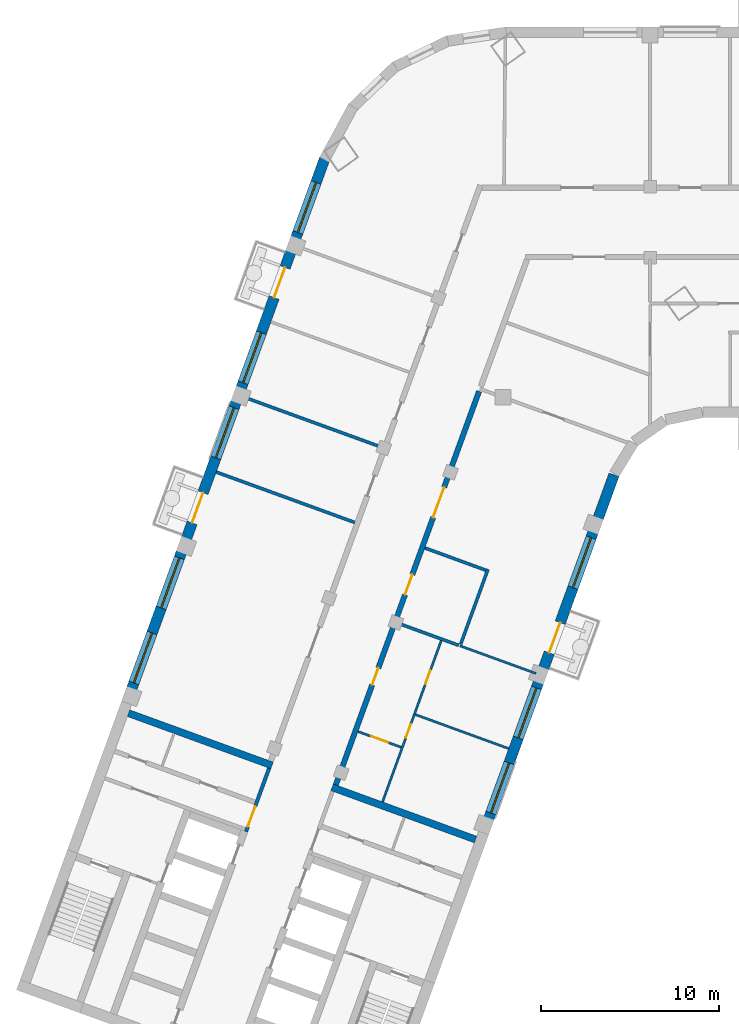
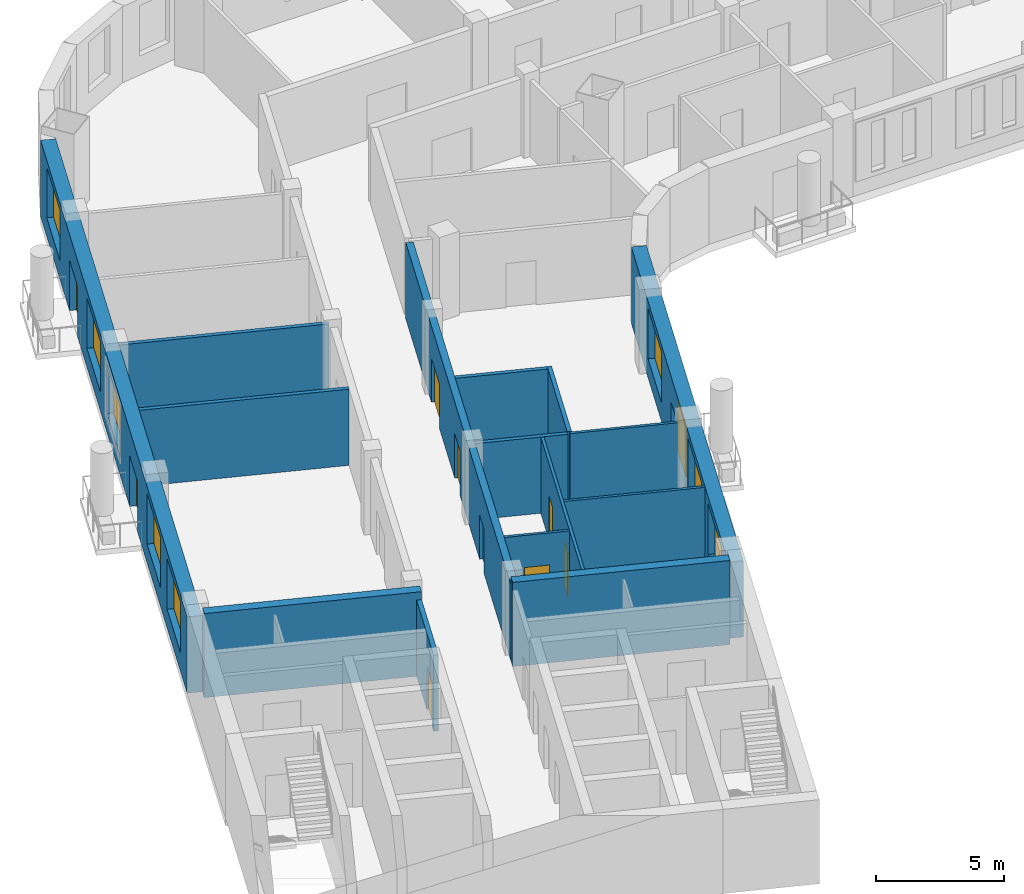
# One storey, part 5 of 18: 15 walls, 10 doors, 8 windows, 18 openings.
"""IFC4 building model written with IfcOpenShell, lengths in metres."""

from ifc_helpers import new_model, si_unit, direction, frame, frame_2d, origin, place, context, subcontext, project, spatial, rectangle, extrude, material, layer, layer_set, type_object, element, fill, save


model = new_model("IFC4")

# Units and contexts
model_context = context("Model", 3, precision=1e-05, world=origin(), true_north=direction((0.0, 1.0)))
body_context = subcontext(model_context, "Body", "Model", "MODEL_VIEW")
ifc_project = project(units=[si_unit("LENGTHUNIT", "METRE"), si_unit("AREAUNIT", "SQUARE_METRE"), si_unit("VOLUMEUNIT", "CUBIC_METRE"), si_unit("PLANEANGLEUNIT", "RADIAN"), si_unit("MASSUNIT", "GRAM", prefix="KILO")], contexts=[model_context])

# Site, building, storey
site_placement = place(None, origin())
site = spatial("IfcSite", under=ifc_project, at=site_placement, CompositionType="ELEMENT")
building_placement = place(site_placement, origin())
building = spatial("IfcBuilding", under=site, at=building_placement, Name="Skarvind Civic Tower", CompositionType="ELEMENT")
storey_placement = place(building_placement, frame((0.0, 0.0, 31.5)))
storey = spatial("IfcBuildingStorey", under=building, at=storey_placement, Name="L06", CompositionType="ELEMENT", Elevation=31.5)

# Walls
ifc_material_1 = material(Name="Acoustic gypsum board on steel studs", Category="steel")
ifc_layer_1 = layer(ifc_material_1, 0.175048828125)
ifc_layer_set_1 = layer_set([ifc_layer_1], Name="ACOUSTIC MEETING-ROOM PARTITION 175")
wall_type_1 = type_object("IfcWallType", Name="ACOUSTIC MEETING-ROOM PARTITION 175", PredefinedType="PARTITIONING", material=ifc_layer_set_1)
wall_1_placement = place(storey_placement, frame((29.81396484375, 113.93798828125, 0.0), z_axis=(0.0, 0.0, 1.0), x_axis=(0.939697205528, -0.342007546586, 0.0)))
element("IfcWall", 1, at=wall_1_placement, inside=storey, type_object=wall_type_1, Name="Partition 06.001", PredefinedType="PARTITIONING", context=body_context, shape_type="SweptSolid", body=[
    extrude(rectangle(XDim=8.300537109375, YDim=0.175048828125, at=frame_2d((4.150390625, 0.0))), origin(), (0.0, 0.0, 1.0), 3.625),
])
wall_2_placement = place(storey_placement, frame((31.35302734375, 118.166015625, 0.0), z_axis=(0.0, 0.0, 1.0), x_axis=(0.939687752599, -0.342033518263, 0.0)))
element("IfcWall", 2, at=wall_2_placement, inside=storey, type_object=wall_type_1, Name="Partition 06.002", PredefinedType="PARTITIONING", context=body_context, shape_type="SweptSolid", body=[
    extrude(rectangle(XDim=8.30078125, YDim=0.175048828125, at=frame_2d((4.150390625, 0.0))), origin(), (0.0, 0.0, 1.0), 3.625),
])
wall_3_placement = place(storey_placement, frame((40.02099609375, 105.43408203125, 0.0), z_axis=(0.0, 0.0, 1.0), x_axis=(0.939740864669, -0.341887565249, 0.0)))
element("IfcWall", 3, at=wall_3_placement, inside=storey, type_object=wall_type_1, Name="Partition 06.007", PredefinedType="PARTITIONING", context=body_context, shape_type="SweptSolid", body=[
    extrude(rectangle(XDim=3.66259765625, YDim=0.175048828125, at=frame_2d((1.831298828125, 0.0))), origin(), (0.0, 0.0, 1.0), 3.625),
])
wall_4_placement = place(storey_placement, frame((41.56103515625, 109.6630859375, 0.0), z_axis=(0.0, 0.0, 1.0), x_axis=(0.939623960717, -0.342208726434, 0.0)))
element("IfcWall", 4, at=wall_4_placement, inside=storey, type_object=wall_type_1, Name="Partition 06.010", PredefinedType="PARTITIONING", context=body_context, shape_type="SweptSolid", body=[
    extrude(rectangle(XDim=3.662109375, YDim=0.175048828125, at=frame_2d((1.8310546875, 0.0))), origin(), (0.0, 0.0, 1.0), 3.625),
])
wall_5_placement = place(storey_placement, frame((45.114013671875, 108.4619140625, 0.0), z_axis=(0.0, 0.0, 1.0), x_axis=(-0.342056723843, -0.93967930576, 0.0)))
element("IfcWall", 5, at=wall_5_placement, inside=storey, type_object=wall_type_1, Name="Partition 06.017", PredefinedType="PARTITIONING", context=body_context, shape_type="SweptSolid", body=[
    extrude(rectangle(XDim=4.49951171875, YDim=0.175048828125, at=frame_2d((2.249755859375, 0.0))), origin(), (0.0, 0.0, 1.0), 3.625),
])

# Wall, openings, doors
ifc_material_2 = material(Name="Fire-rated gypsum board on steel studs", Category="steel")
ifc_layer_2 = layer(ifc_material_2, 0.300048828125)
ifc_layer_set_2 = layer_set([ifc_layer_2], Name="CORRIDOR WALL 300")
wall_type_2 = type_object("IfcWallType", Name="CORRIDOR WALL 300", PredefinedType="PARTITIONING", material=ifc_layer_set_2)
wall_6_placement = place(storey_placement, frame((44.612060546875, 118.48291015625, 0.0), z_axis=(0.0, 0.0, 1.0), x_axis=(-0.342043123066, -0.939684256526, 0.0)))
wall_6 = element("IfcWall", 6, at=wall_6_placement, inside=storey, type_object=wall_type_2, Name="Partition 06.016", PredefinedType="PARTITIONING", context=body_context, shape_type="SweptSolid", body=[
    extrude(rectangle(XDim=23.582275390625, YDim=0.300048828125, at=frame_2d((11.791015625, 0.0))), origin(), (0.0, 0.0, 1.0), 3.625),
])
opening_1_placement = place(wall_6_placement, frame((16.58251953125, 0.0, 0.0)))
opening_1 = element("IfcOpeningElement", 7, at=opening_1_placement, cuts=wall_6, Name="Opening L06-D021", PredefinedType="OPENING", context=body_context, shape_type="SweptSolid", body=[
    extrude(rectangle(XDim=1.0, YDim=2.10009765625, at=frame_2d((0.5, 1.050048828125))), frame((0.0, 0.159912109375, 0.0), z_axis=(0.0, -1.0, 0.0), x_axis=(1.0, 0.0, 0.0)), (0.0, 0.0, 1.0), 0.320068359375),
])
opening_2_placement = place(wall_6_placement, frame((10.982177734375, 0.0, 0.0)))
opening_2 = element("IfcOpeningElement", 8, at=opening_2_placement, cuts=wall_6, Name="Opening L06-D025", PredefinedType="OPENING", context=body_context, shape_type="SweptSolid", body=[
    extrude(rectangle(XDim=1.199951171875, YDim=2.10009765625, at=frame_2d((0.60009765625, 1.050048828125))), frame((0.0, 0.159912109375, 0.0), z_axis=(0.0, -1.0, 0.0), x_axis=(1.0, 0.0, 0.0)), (0.0, 0.0, 1.0), 0.320068359375),
])
opening_3_placement = place(wall_6_placement, frame((5.755859375, 0.0, 0.0)))
opening_3 = element("IfcOpeningElement", 9, at=opening_3_placement, cuts=wall_6, Name="Opening L06-D026", PredefinedType="OPENING", context=body_context, shape_type="SweptSolid", body=[
    extrude(rectangle(XDim=1.800048828125, YDim=2.10009765625, at=frame_2d((0.89990234375, 1.050048828125))), frame((0.0, 0.159912109375, 0.0), z_axis=(0.0, -1.0, 0.0), x_axis=(1.0, 0.0, 0.0)), (0.0, 0.0, 1.0), 0.320068359375),
])
ifc_material_3 = material(Name="Fire-rated timber door leaf", Category="wood")
door_type_1 = type_object("IfcDoorType", Name="FD1 1000x2100", OperationType="NOTDEFINED", PredefinedType="DOOR", material=ifc_material_3)
door_1_placement = place(opening_1_placement, origin())
door_1 = element("IfcDoor", 10, at=door_1_placement, inside=storey, type_object=door_type_1, Name="Door L06-D021", OperationType="SINGLE_SWING_LEFT", OverallHeight=2.10009765625, OverallWidth=1.0, PredefinedType="DOOR", context=body_context, shape_type="SweptSolid", body=[
    extrude(rectangle(XDim=1.0, YDim=2.10009765625, at=frame_2d((0.5, 1.050048828125))), frame((0.0, 0.02490234375, 0.0), z_axis=(0.0, -1.0, 0.0), x_axis=(1.0, 0.0, 0.0)), (0.0, 0.0, 1.0), 0.050048828125),
])
fill(opening_1, door_1)
door_type_2 = type_object("IfcDoorType", Name="FD4 1800x2100", OperationType="NOTDEFINED", PredefinedType="DOOR", material=ifc_material_3)
door_2_placement = place(opening_3_placement, origin())
door_2 = element("IfcDoor", 11, at=door_2_placement, inside=storey, type_object=door_type_2, Name="Door L06-D026", OperationType="DOUBLE_DOOR_SINGLE_SWING", OverallHeight=2.10009765625, OverallWidth=1.800048828125, PredefinedType="DOOR", context=body_context, shape_type="SweptSolid", body=[
    extrude(rectangle(XDim=1.800048828125, YDim=2.10009765625, at=frame_2d((0.89990234375, 1.050048828125))), frame((0.0, 0.02490234375, 0.0), z_axis=(0.0, -1.0, 0.0), x_axis=(1.0, 0.0, 0.0)), (0.0, 0.0, 1.0), 0.050048828125),
])
fill(opening_3, door_2)
door_type_3 = type_object("IfcDoorType", Name="FD6 1200x2100 DOUBLE", OperationType="NOTDEFINED", PredefinedType="DOOR", material=ifc_material_3)
door_3_placement = place(opening_2_placement, origin())
door_3 = element("IfcDoor", 12, at=door_3_placement, inside=storey, type_object=door_type_3, Name="Door L06-D025", OperationType="DOUBLE_DOOR_SINGLE_SWING", OverallHeight=2.10009765625, OverallWidth=1.199951171875, PredefinedType="DOOR", context=body_context, shape_type="SweptSolid", body=[
    extrude(rectangle(XDim=1.199951171875, YDim=2.10009765625, at=frame_2d((0.60009765625, 1.050048828125))), frame((0.0, 0.02490234375, 0.0), z_axis=(0.0, -1.0, 0.0), x_axis=(1.0, 0.0, 0.0)), (0.0, 0.0, 1.0), 0.050048828125),
])
fill(opening_2, door_3)

# Wall, opening, door
ifc_material_4 = material(Name="Fire-rated masonry partition", Category="masonry")
ifc_layer_3 = layer(ifc_material_4, 0.199951171875)
ifc_layer_set_3 = layer_set([ifc_layer_3], Name="Core enclosure wall 200")
wall_type_3 = type_object("IfcWallType", Name="Core enclosure wall 200", PredefinedType="PARTITIONING", material=ifc_layer_set_3)
wall_7_placement = place(storey_placement, frame((31.491455078125, 93.693359375, 0.0), z_axis=(0.0, 0.0, 1.0), x_axis=(0.341995824804, 0.939701471648, 0.0)))
wall_7 = element("IfcWall", 13, at=wall_7_placement, inside=storey, type_object=wall_type_3, Name="Core wall C2", PredefinedType="PARTITIONING", context=body_context, shape_type="SweptSolid", body=[
    extrude(rectangle(XDim=3.800048828125, YDim=0.199951171875, at=frame_2d((1.89990234375, 0.0))), origin(), (0.0, 0.0, 1.0), 3.625),
])
opening_4_placement = place(wall_7_placement, frame((0.300048828125, 0.0, 0.0)))
opening_4 = element("IfcOpeningElement", 14, at=opening_4_placement, cuts=wall_7, Name="Opening D-L06-C2-06", PredefinedType="OPENING", context=body_context, shape_type="SweptSolid", body=[
    extrude(rectangle(XDim=1.199951171875, YDim=2.10009765625, at=frame_2d((0.60009765625, 1.050048828125))), frame((0.0, 0.10986328125, 0.0), z_axis=(0.0, -1.0, 0.0), x_axis=(1.0, 0.0, 0.0)), (0.0, 0.0, 1.0), 0.219970703125),
])
ifc_material_5 = material(Name="Fire-rated steel door", Category="steel")
door_type_4 = type_object("IfcDoorType", Name="Core lobby door 1200", OperationType="NOTDEFINED", PredefinedType="DOOR", material=ifc_material_5)
door_4_placement = place(opening_4_placement, origin())
door_4 = element("IfcDoor", 15, at=door_4_placement, inside=storey, type_object=door_type_4, Name="Fire door", OperationType="DOUBLE_DOOR_SINGLE_SWING", OverallHeight=2.10009765625, OverallWidth=1.199951171875, PredefinedType="DOOR", context=body_context, shape_type="SweptSolid", body=[
    extrude(rectangle(XDim=1.199951171875, YDim=2.10009765625, at=frame_2d((0.60009765625, 1.050048828125))), frame((0.0, 0.02490234375, 0.0), z_axis=(0.0, -1.0, 0.0), x_axis=(1.0, 0.0, 0.0)), (0.0, 0.0, 1.0), 0.050048828125),
])
fill(opening_4, door_4)

# Walls
ifc_material_6 = material(Name="Concrete C80", Category="concrete")
ifc_layer_4 = layer(ifc_material_6, 0.39990234375)
ifc_layer_set_4 = layer_set([ifc_layer_4], Name="Core wall 400 C80")
wall_type_4 = type_object("IfcWallType", Name="Core wall 400 C80", PredefinedType="SHEAR", material=ifc_layer_set_4)
for number, where, z_axis, x_axis, name in (
    (16, (44.417724609375, 93.2451171875, 0.0), (0.0, 0.0, 1.0), (-0.93969060187, 0.342025690201, 0.0), "Core wall C2 south inner face L06"),
    (17, (32.953369140625, 97.417724609375, 0.0), (0.0, 0.0, 1.0), (-0.93969060187, 0.342025690201, 0.0), "Core wall C2 north inner face L06"),
):
    element("IfcWall", number, at=place(storey_placement, frame(where, z_axis=z_axis, x_axis=x_axis)), inside=storey, type_object=wall_type_4, Name=name, PredefinedType="SHEAR", context=body_context, shape_type="SweptSolid", body=[
        extrude(rectangle(XDim=8.599853515625, YDim=0.39990234375, at=frame_2d((4.2998046875, 0.0))), origin(), (0.0, 0.0, 1.0), 4.0),
    ])

# Wall, opening, door
ifc_material_7 = material(Name="Moisture-resistant gypsum board on steel studs", Category="steel")
ifc_layer_5 = layer(ifc_material_7, 0.125)
ifc_layer_set_5 = layer_set([ifc_layer_5], Name="WC PARTITION 125")
wall_type_5 = type_object("IfcWallType", Name="WC PARTITION 125", PredefinedType="PARTITIONING", material=ifc_layer_set_5)
wall_8_placement = place(storey_placement, frame((40.22900390625, 98.44091796875, 0.0), z_axis=(0.0, 0.0, 1.0), x_axis=(-0.939663852573, 0.342099173001, 0.0)))
wall_8 = element("IfcWall", 18, at=wall_8_placement, inside=storey, type_object=wall_type_5, Name="Partition 06.005", PredefinedType="PARTITIONING", context=body_context, shape_type="SweptSolid", body=[
    extrude(rectangle(XDim=2.5869140625, YDim=0.125, at=frame_2d((1.29345703125, 0.0))), origin(), (0.0, 0.0, 1.0), 3.625),
])
opening_5_placement = place(wall_8_placement, frame((0.793701171875, 0.0, 0.0)))
opening_5 = element("IfcOpeningElement", 19, at=opening_5_placement, cuts=wall_8, Name="Opening L06-D022", PredefinedType="OPENING", context=body_context, shape_type="SweptSolid", body=[
    extrude(rectangle(XDim=1.0, YDim=2.10009765625, at=frame_2d((0.5, 1.050048828125))), frame((0.0, 0.072509765625, 0.0), z_axis=(0.0, -1.0, 0.0), x_axis=(1.0, 0.0, 0.0)), (0.0, 0.0, 1.0), 0.14501953125),
])
ifc_material_8 = material(Name="Timber door leaf", Category="wood")
door_type_5 = type_object("IfcDoorType", Name="D1 1000x2100", OperationType="NOTDEFINED", PredefinedType="DOOR", material=ifc_material_8)
door_5_placement = place(opening_5_placement, origin())
door_5 = element("IfcDoor", 20, at=door_5_placement, inside=storey, type_object=door_type_5, Name="Door L06-D022", OperationType="SINGLE_SWING_RIGHT", OverallHeight=2.10009765625, OverallWidth=1.0, PredefinedType="DOOR", context=body_context, shape_type="SweptSolid", body=[
    extrude(rectangle(XDim=1.0, YDim=2.10009765625, at=frame_2d((0.5, 1.050048828125))), frame((0.0, 0.02490234375, 0.0), z_axis=(0.0, -1.0, 0.0), x_axis=(1.0, 0.0, 0.0)), (0.0, 0.0, 1.0), 0.050048828125),
])
fill(opening_5, door_5)

# Wall, openings, doors
wall_9_placement = place(storey_placement, frame((42.48193359375, 104.446044921875, 0.0), z_axis=(0.0, 0.0, 1.0), x_axis=(-0.342025030348, -0.939690842041, 0.0)))
wall_9 = element("IfcWall", 21, at=wall_9_placement, inside=storey, type_object=wall_type_5, Name="Partition 06.006", PredefinedType="PARTITIONING", context=body_context, shape_type="SweptSolid", body=[
    extrude(rectangle(XDim=9.662841796875, YDim=0.125, at=frame_2d((4.83154296875, 0.0))), origin(), (0.0, 0.0, 1.0), 3.625),
])
opening_6_placement = place(wall_9_placement, frame((1.796630859375, 0.0, 0.0)))
opening_6 = element("IfcOpeningElement", 22, at=opening_6_placement, cuts=wall_9, Name="Opening L06-D023", PredefinedType="OPENING", context=body_context, shape_type="SweptSolid", body=[
    extrude(rectangle(XDim=0.800048828125, YDim=2.10009765625, at=frame_2d((0.39990234375, 1.050048828125))), frame((0.0, 0.072509765625, 0.0), z_axis=(0.0, -1.0, 0.0), x_axis=(1.0, 0.0, 0.0)), (0.0, 0.0, 1.0), 0.14501953125),
])
opening_7_placement = place(wall_9_placement, frame((5.0146484375, 0.0, 0.0)))
opening_7 = element("IfcOpeningElement", 23, at=opening_7_placement, cuts=wall_9, Name="Opening L06-D024", PredefinedType="OPENING", context=body_context, shape_type="SweptSolid", body=[
    extrude(rectangle(XDim=0.800048828125, YDim=2.10009765625, at=frame_2d((0.39990234375, 1.050048828125))), frame((0.0, 0.072509765625, 0.0), z_axis=(0.0, -1.0, 0.0), x_axis=(1.0, 0.0, 0.0)), (0.0, 0.0, 1.0), 0.14501953125),
])
door_type_6 = type_object("IfcDoorType", Name="DOOR 800X2100 TIMBER", OperationType="NOTDEFINED", PredefinedType="DOOR", material=ifc_material_8)
door_6_placement = place(opening_6_placement, origin())
door_6 = element("IfcDoor", 24, at=door_6_placement, inside=storey, type_object=door_type_6, Name="Door L06-D023", OperationType="SINGLE_SWING_RIGHT", OverallHeight=2.10009765625, OverallWidth=0.800048828125, PredefinedType="DOOR", context=body_context, shape_type="SweptSolid", body=[
    extrude(rectangle(XDim=0.800048828125, YDim=2.10009765625, at=frame_2d((0.39990234375, 1.050048828125))), frame((0.0, 0.02490234375, 0.0), z_axis=(0.0, -1.0, 0.0), x_axis=(1.0, 0.0, 0.0)), (0.0, 0.0, 1.0), 0.050048828125),
])
fill(opening_6, door_6)
door_7_placement = place(opening_7_placement, origin())
door_7 = element("IfcDoor", 25, at=door_7_placement, inside=storey, type_object=door_type_6, Name="Door L06-D024", OperationType="SINGLE_SWING_LEFT", OverallHeight=2.10009765625, OverallWidth=0.800048828125, PredefinedType="DOOR", context=body_context, shape_type="SweptSolid", body=[
    extrude(rectangle(XDim=0.800048828125, YDim=2.10009765625, at=frame_2d((0.39990234375, 1.050048828125))), frame((0.0, 0.02490234375, 0.0), z_axis=(0.0, -1.0, 0.0), x_axis=(1.0, 0.0, 0.0)), (0.0, 0.0, 1.0), 0.050048828125),
])
fill(opening_7, door_7)

# Walls
wall_10_placement = place(storey_placement, frame((41.031005859375, 100.278076171875, 0.0), z_axis=(0.0, 0.0, 1.0), x_axis=(0.939696437289, -0.342009657388, 0.0)))
element("IfcWall", 26, at=wall_10_placement, inside=storey, type_object=wall_type_5, Name="Partition 06.009", PredefinedType="PARTITIONING", context=body_context, shape_type="SweptSolid", body=[
    extrude(rectangle(XDim=5.587890625, YDim=0.125, at=frame_2d((2.7939453125, 0.0))), origin(), (0.0, 0.0, 1.0), 3.625),
])
wall_11_placement = place(storey_placement, frame((43.5419921875, 104.153076171875, 0.0), z_axis=(0.0, 0.0, 1.0), x_axis=(0.939646198652, -0.34214766017, 0.0)))
element("IfcWall", 27, at=wall_11_placement, inside=storey, type_object=wall_type_5, Name="Partition 06.012", PredefinedType="PARTITIONING", context=body_context, shape_type="SweptSolid", body=[
    extrude(rectangle(XDim=4.553955078125, YDim=0.125, at=frame_2d((2.27685546875, 0.0))), origin(), (0.0, 0.0, 1.0), 3.625),
])

# Wall, openings, door, windows
ifc_material_9 = material(Name="Limestone masonry cladding on insulated backing", Category="masonry")
ifc_layer_6 = layer(ifc_material_9, 0.60009765625)
ifc_layer_set_6 = layer_set([ifc_layer_6], Name="WX1 STONE FACADE WALL 600")
wall_type_6 = type_object("IfcWallType", Name="WX1 STONE FACADE WALL 600", PredefinedType="SOLIDWALL", material=ifc_layer_set_6)
wall_12_placement = place(storey_placement, frame((52.212158203125, 113.78271484375, 0.0), z_axis=(0.0, 0.0, 1.0), x_axis=(-0.34202521188, -0.939690775968, 0.0)))
wall_12 = element("IfcWall", 28, at=wall_12_placement, inside=storey, type_object=wall_type_6, Name="STONE FACADE WALL", PredefinedType="SOLIDWALL", context=body_context, shape_type="SweptSolid", body=[
    extrude(rectangle(XDim=21.744873046875, YDim=0.60009765625, at=frame_2d((10.87255859375, 0.0))), origin(), (0.0, 0.0, 1.0), 3.625),
])
opening_8_placement = place(wall_12_placement, frame((3.764892578125, 0.0, 0.89990234375)))
opening_8 = element("IfcOpeningElement", 29, at=opening_8_placement, cuts=wall_12, Name="Opening WN1", PredefinedType="OPENING", context=body_context, shape_type="SweptSolid", body=[
    extrude(rectangle(XDim=3.0, YDim=2.39990234375, at=frame_2d((1.5, 1.199951171875))), frame((0.0, 0.31005859375, 0.0), z_axis=(0.0, -1.0, 0.0), x_axis=(1.0, 0.0, 0.0)), (0.0, 0.0, 1.0), 0.6201171875),
])
opening_9_placement = place(wall_12_placement, frame((8.864990234375, 0.0, 0.0)))
opening_9 = element("IfcOpeningElement", 30, at=opening_9_placement, cuts=wall_12, Name="Opening DX3", PredefinedType="OPENING", context=body_context, shape_type="SweptSolid", body=[
    extrude(rectangle(XDim=1.800048828125, YDim=2.39990234375, at=frame_2d((0.89990234375, 1.199951171875))), frame((0.0, 0.31005859375, 0.0), z_axis=(0.0, -1.0, 0.0), x_axis=(1.0, 0.0, 0.0)), (0.0, 0.0, 1.0), 0.6201171875),
])
opening_10_placement = place(wall_12_placement, frame((12.764892578125, 0.0, 0.89990234375)))
opening_10 = element("IfcOpeningElement", 31, at=opening_10_placement, cuts=wall_12, Name="Opening WN1", PredefinedType="OPENING", context=body_context, shape_type="SweptSolid", body=[
    extrude(rectangle(XDim=3.0, YDim=2.39990234375, at=frame_2d((1.5, 1.199951171875))), frame((0.0, 0.31005859375, 0.0), z_axis=(0.0, -1.0, 0.0), x_axis=(1.0, 0.0, 0.0)), (0.0, 0.0, 1.0), 0.6201171875),
])
opening_11_placement = place(wall_12_placement, frame((17.264892578125, 0.0, 0.89990234375)))
opening_11 = element("IfcOpeningElement", 32, at=opening_11_placement, cuts=wall_12, Name="Opening WN1", PredefinedType="OPENING", context=body_context, shape_type="SweptSolid", body=[
    extrude(rectangle(XDim=3.0, YDim=2.39990234375, at=frame_2d((1.5, 1.199951171875))), frame((0.0, 0.31005859375, 0.0), z_axis=(0.0, -1.0, 0.0), x_axis=(1.0, 0.0, 0.0)), (0.0, 0.0, 1.0), 0.6201171875),
])
ifc_material_10 = material(Name="Timber and glass doorset", Category="wood")
door_type_7 = type_object("IfcDoorType", Name="DX3 TERRACE DOORS 1800 x 2400", OperationType="NOTDEFINED", PredefinedType="DOOR", material=ifc_material_10)
door_8_placement = place(opening_9_placement, origin())
door_8 = element("IfcDoor", 33, at=door_8_placement, inside=storey, type_object=door_type_7, Name="TERRACE DOORS", OperationType="DOUBLE_DOOR_SINGLE_SWING", OverallHeight=2.39990234375, OverallWidth=1.800048828125, PredefinedType="DOOR", context=body_context, shape_type="SweptSolid", body=[
    extrude(rectangle(XDim=1.800048828125, YDim=2.39990234375, at=frame_2d((0.89990234375, 1.199951171875))), frame((0.0, 0.02490234375, 0.0), z_axis=(0.0, -1.0, 0.0), x_axis=(1.0, 0.0, 0.0)), (0.0, 0.0, 1.0), 0.050048828125),
])
fill(opening_9, door_8)
ifc_material_11 = material(Name="Timber frame, double glazing, timber-lined reveal", Category="wood")
window_type = type_object("IfcWindowType", Name="WN1 PUNCHED STONE WINDOW 3000 x 2400", PartitioningType="SINGLE_PANEL", PredefinedType="WINDOW", material=ifc_material_11)
window_1_placement = place(opening_8_placement, origin())
window_1 = element("IfcWindow", 34, at=window_1_placement, inside=storey, type_object=window_type, Name="WN1 WINDOW", OverallHeight=2.39990234375, OverallWidth=3.0, PartitioningType="SINGLE_PANEL", PredefinedType="WINDOW", context=body_context, shape_type="SweptSolid", body=[
    extrude(rectangle(XDim=3.0, YDim=2.39990234375, at=frame_2d((1.5, 1.199951171875))), frame((0.0, 0.030029296875, 0.0), z_axis=(0.0, -1.0, 0.0), x_axis=(1.0, 0.0, 0.0)), (0.0, 0.0, 1.0), 0.06005859375),
])
fill(opening_8, window_1)
window_2_placement = place(opening_10_placement, origin())
window_2 = element("IfcWindow", 35, at=window_2_placement, inside=storey, type_object=window_type, Name="WN1 WINDOW", OverallHeight=2.39990234375, OverallWidth=3.0, PartitioningType="SINGLE_PANEL", PredefinedType="WINDOW", context=body_context, shape_type="SweptSolid", body=[
    extrude(rectangle(XDim=3.0, YDim=2.39990234375, at=frame_2d((1.5, 1.199951171875))), frame((0.0, 0.030029296875, 0.0), z_axis=(0.0, -1.0, 0.0), x_axis=(1.0, 0.0, 0.0)), (0.0, 0.0, 1.0), 0.06005859375),
])
fill(opening_10, window_2)
window_3_placement = place(opening_11_placement, origin())
window_3 = element("IfcWindow", 36, at=window_3_placement, inside=storey, type_object=window_type, Name="WN1 WINDOW", OverallHeight=2.39990234375, OverallWidth=3.0, PartitioningType="SINGLE_PANEL", PredefinedType="WINDOW", context=body_context, shape_type="SweptSolid", body=[
    extrude(rectangle(XDim=3.0, YDim=2.39990234375, at=frame_2d((1.5, 1.199951171875))), frame((0.0, 0.030029296875, 0.0), z_axis=(0.0, -1.0, 0.0), x_axis=(1.0, 0.0, 0.0)), (0.0, 0.0, 1.0), 0.06005859375),
])
fill(opening_11, window_3)

# Wall, openings, doors, windows
wall_13_placement = place(storey_placement, frame((24.66552734375, 100.668701171875, 0.0), z_axis=(0.0, 0.0, 1.0), x_axis=(0.34201964167, 0.939692803373, 0.0)))
wall_13 = element("IfcWall", 37, at=wall_13_placement, inside=storey, type_object=wall_type_6, Name="STONE FACADE WALL", PredefinedType="SOLIDWALL", context=body_context, shape_type="SweptSolid", body=[
    extrude(rectangle(XDim=32.88427734375, YDim=0.60009765625, at=frame_2d((16.442138671875, 0.0))), origin(), (0.0, 0.0, 1.0), 3.625),
])
opening_12_placement = place(wall_13_placement, frame((1.47998046875, 0.0, 0.89990234375)))
opening_12 = element("IfcOpeningElement", 38, at=opening_12_placement, cuts=wall_13, Name="Opening WN1", PredefinedType="OPENING", context=body_context, shape_type="SweptSolid", body=[
    extrude(rectangle(XDim=3.0, YDim=2.39990234375, at=frame_2d((1.5, 1.199951171875))), frame((0.0, 0.31005859375, 0.0), z_axis=(0.0, -1.0, 0.0), x_axis=(1.0, 0.0, 0.0)), (0.0, 0.0, 1.0), 0.6201171875),
])
opening_13_placement = place(wall_13_placement, frame((5.97998046875, 0.0, 0.89990234375)))
opening_13 = element("IfcOpeningElement", 39, at=opening_13_placement, cuts=wall_13, Name="Opening WN1", PredefinedType="OPENING", context=body_context, shape_type="SweptSolid", body=[
    extrude(rectangle(XDim=3.0, YDim=2.39990234375, at=frame_2d((1.5, 1.199951171875))), frame((0.0, 0.31005859375, 0.0), z_axis=(0.0, -1.0, 0.0), x_axis=(1.0, 0.0, 0.0)), (0.0, 0.0, 1.0), 0.6201171875),
])
opening_14_placement = place(wall_13_placement, frame((11.080078125, 0.0, 0.0)))
opening_14 = element("IfcOpeningElement", 40, at=opening_14_placement, cuts=wall_13, Name="Opening DX3", PredefinedType="OPENING", context=body_context, shape_type="SweptSolid", body=[
    extrude(rectangle(XDim=1.800048828125, YDim=2.39990234375, at=frame_2d((0.89990234375, 1.199951171875))), frame((0.0, 0.31005859375, 0.0), z_axis=(0.0, -1.0, 0.0), x_axis=(1.0, 0.0, 0.0)), (0.0, 0.0, 1.0), 0.6201171875),
])
opening_15_placement = place(wall_13_placement, frame((14.97998046875, 0.0, 0.89990234375)))
opening_15 = element("IfcOpeningElement", 41, at=opening_15_placement, cuts=wall_13, Name="Opening WN1", PredefinedType="OPENING", context=body_context, shape_type="SweptSolid", body=[
    extrude(rectangle(XDim=3.0, YDim=2.39990234375, at=frame_2d((1.5, 1.199951171875))), frame((0.0, 0.31005859375, 0.0), z_axis=(0.0, -1.0, 0.0), x_axis=(1.0, 0.0, 0.0)), (0.0, 0.0, 1.0), 0.6201171875),
])
opening_16_placement = place(wall_13_placement, frame((19.47998046875, 0.0, 0.89990234375)))
opening_16 = element("IfcOpeningElement", 42, at=opening_16_placement, cuts=wall_13, Name="Opening WN1", PredefinedType="OPENING", context=body_context, shape_type="SweptSolid", body=[
    extrude(rectangle(XDim=3.0, YDim=2.39990234375, at=frame_2d((1.5, 1.199951171875))), frame((0.0, 0.31005859375, 0.0), z_axis=(0.0, -1.0, 0.0), x_axis=(1.0, 0.0, 0.0)), (0.0, 0.0, 1.0), 0.6201171875),
])
opening_17_placement = place(wall_13_placement, frame((24.580078125, 0.0, 0.0)))
opening_17 = element("IfcOpeningElement", 43, at=opening_17_placement, cuts=wall_13, Name="Opening DX3", PredefinedType="OPENING", context=body_context, shape_type="SweptSolid", body=[
    extrude(rectangle(XDim=1.800048828125, YDim=2.39990234375, at=frame_2d((0.89990234375, 1.199951171875))), frame((0.0, 0.31005859375, 0.0), z_axis=(0.0, -1.0, 0.0), x_axis=(1.0, 0.0, 0.0)), (0.0, 0.0, 1.0), 0.6201171875),
])
opening_18_placement = place(wall_13_placement, frame((28.47998046875, 0.0, 0.89990234375)))
opening_18 = element("IfcOpeningElement", 44, at=opening_18_placement, cuts=wall_13, Name="Opening WN1", PredefinedType="OPENING", context=body_context, shape_type="SweptSolid", body=[
    extrude(rectangle(XDim=3.0, YDim=2.39990234375, at=frame_2d((1.5, 1.199951171875))), frame((0.0, 0.31005859375, 0.0), z_axis=(0.0, -1.0, 0.0), x_axis=(1.0, 0.0, 0.0)), (0.0, 0.0, 1.0), 0.6201171875),
])
door_9_placement = place(opening_14_placement, origin())
door_9 = element("IfcDoor", 45, at=door_9_placement, inside=storey, type_object=door_type_7, Name="TERRACE DOORS", OperationType="DOUBLE_DOOR_SINGLE_SWING", OverallHeight=2.39990234375, OverallWidth=1.800048828125, PredefinedType="DOOR", context=body_context, shape_type="SweptSolid", body=[
    extrude(rectangle(XDim=1.800048828125, YDim=2.39990234375, at=frame_2d((0.89990234375, 1.199951171875))), frame((0.0, 0.02490234375, 0.0), z_axis=(0.0, -1.0, 0.0), x_axis=(1.0, 0.0, 0.0)), (0.0, 0.0, 1.0), 0.050048828125),
])
fill(opening_14, door_9)
door_10_placement = place(opening_17_placement, origin())
door_10 = element("IfcDoor", 46, at=door_10_placement, inside=storey, type_object=door_type_7, Name="TERRACE DOORS", OperationType="DOUBLE_DOOR_SINGLE_SWING", OverallHeight=2.39990234375, OverallWidth=1.800048828125, PredefinedType="DOOR", context=body_context, shape_type="SweptSolid", body=[
    extrude(rectangle(XDim=1.800048828125, YDim=2.39990234375, at=frame_2d((0.89990234375, 1.199951171875))), frame((0.0, 0.02490234375, 0.0), z_axis=(0.0, -1.0, 0.0), x_axis=(1.0, 0.0, 0.0)), (0.0, 0.0, 1.0), 0.050048828125),
])
fill(opening_17, door_10)
window_4_placement = place(opening_12_placement, origin())
window_4 = element("IfcWindow", 47, at=window_4_placement, inside=storey, type_object=window_type, Name="WN1 WINDOW", OverallHeight=2.39990234375, OverallWidth=3.0, PartitioningType="SINGLE_PANEL", PredefinedType="WINDOW", context=body_context, shape_type="SweptSolid", body=[
    extrude(rectangle(XDim=3.0, YDim=2.39990234375, at=frame_2d((1.5, 1.199951171875))), frame((0.0, 0.030029296875, 0.0), z_axis=(0.0, -1.0, 0.0), x_axis=(1.0, 0.0, 0.0)), (0.0, 0.0, 1.0), 0.06005859375),
])
fill(opening_12, window_4)
window_5_placement = place(opening_13_placement, origin())
window_5 = element("IfcWindow", 48, at=window_5_placement, inside=storey, type_object=window_type, Name="WN1 WINDOW", OverallHeight=2.39990234375, OverallWidth=3.0, PartitioningType="SINGLE_PANEL", PredefinedType="WINDOW", context=body_context, shape_type="SweptSolid", body=[
    extrude(rectangle(XDim=3.0, YDim=2.39990234375, at=frame_2d((1.5, 1.199951171875))), frame((0.0, 0.030029296875, 0.0), z_axis=(0.0, -1.0, 0.0), x_axis=(1.0, 0.0, 0.0)), (0.0, 0.0, 1.0), 0.06005859375),
])
fill(opening_13, window_5)
window_6_placement = place(opening_15_placement, origin())
window_6 = element("IfcWindow", 49, at=window_6_placement, inside=storey, type_object=window_type, Name="WN1 WINDOW", OverallHeight=2.39990234375, OverallWidth=3.0, PartitioningType="SINGLE_PANEL", PredefinedType="WINDOW", context=body_context, shape_type="SweptSolid", body=[
    extrude(rectangle(XDim=3.0, YDim=2.39990234375, at=frame_2d((1.5, 1.199951171875))), frame((0.0, 0.030029296875, 0.0), z_axis=(0.0, -1.0, 0.0), x_axis=(1.0, 0.0, 0.0)), (0.0, 0.0, 1.0), 0.06005859375),
])
fill(opening_15, window_6)
window_7_placement = place(opening_16_placement, origin())
window_7 = element("IfcWindow", 50, at=window_7_placement, inside=storey, type_object=window_type, Name="WN1 WINDOW", OverallHeight=2.39990234375, OverallWidth=3.0, PartitioningType="SINGLE_PANEL", PredefinedType="WINDOW", context=body_context, shape_type="SweptSolid", body=[
    extrude(rectangle(XDim=3.0, YDim=2.39990234375, at=frame_2d((1.5, 1.199951171875))), frame((0.0, 0.030029296875, 0.0), z_axis=(0.0, -1.0, 0.0), x_axis=(1.0, 0.0, 0.0)), (0.0, 0.0, 1.0), 0.06005859375),
])
fill(opening_16, window_7)
window_8_placement = place(opening_18_placement, origin())
window_8 = element("IfcWindow", 51, at=window_8_placement, inside=storey, type_object=window_type, Name="WN1 WINDOW", OverallHeight=2.39990234375, OverallWidth=3.0, PartitioningType="SINGLE_PANEL", PredefinedType="WINDOW", context=body_context, shape_type="SweptSolid", body=[
    extrude(rectangle(XDim=3.0, YDim=2.39990234375, at=frame_2d((1.5, 1.199951171875))), frame((0.0, 0.030029296875, 0.0), z_axis=(0.0, -1.0, 0.0), x_axis=(1.0, 0.0, 0.0)), (0.0, 0.0, 1.0), 0.06005859375),
])
fill(opening_18, window_8)

save(model, "model.ifc")
